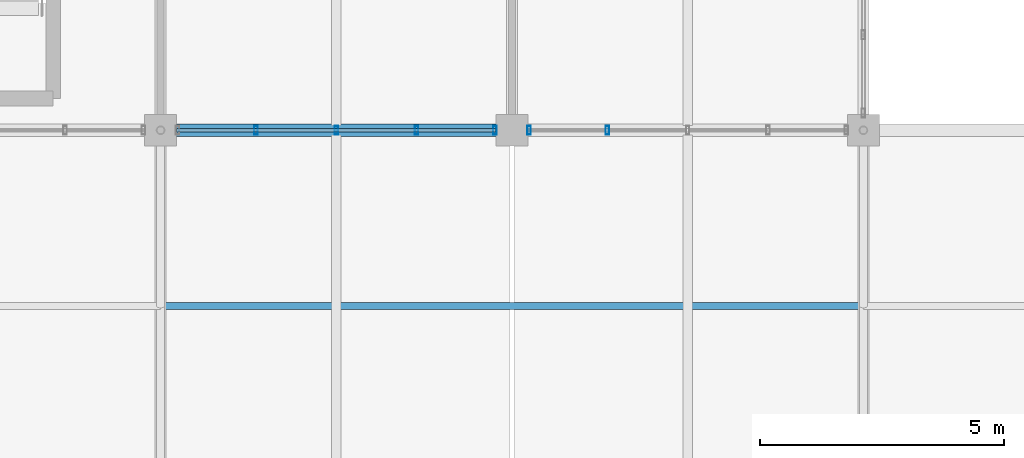
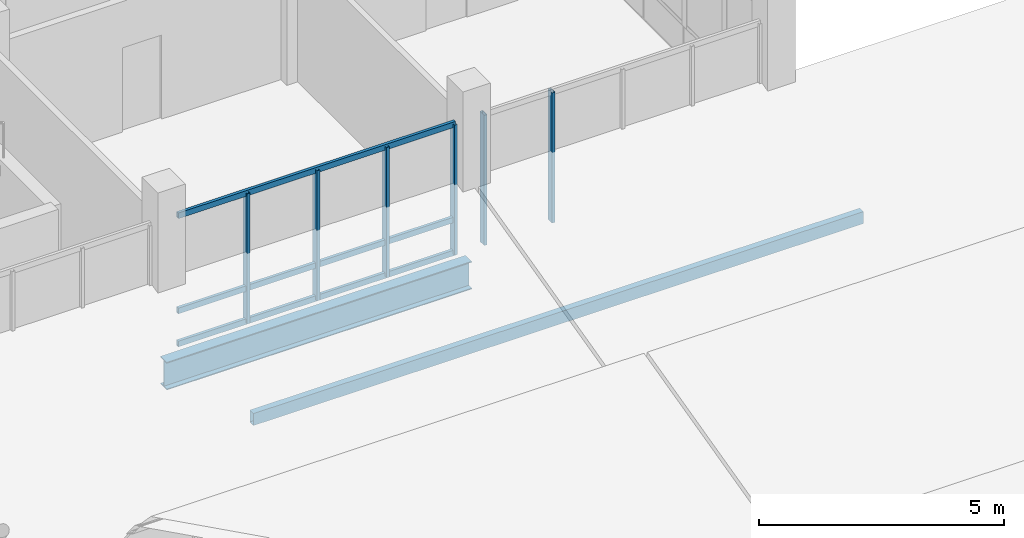
# One storey, part 81 of 144: 10 members, 1 beam, 2 elements without a shape of their own.
"""IFC4 building model written with IfcOpenShell, lengths in metres."""

import ifcopenshell
import ifcopenshell.guid

model = None  # the IFC model being written
_history = None  # IfcOwnerHistory: only IFC2X3 demands one
_inside = {}  # id of a spatial element -> (the spatial element, [elements in it])
_under = {}  # id of a project, library or spatial element -> (it, [spatial elements below it])
_declared = {}  # id of a project -> (the project, [libraries it declares])
_typed = {}  # id of a type object -> (the type object, [elements of that type])
_made_of = {}  # id of a material, layer set ... -> (it, [elements and type objects made of it])


def new_model(schema):
    """Start an empty IFC model of exactly this schema.

    Asked for "IFC4X3", IfcOpenShell would pick the latest addendum, in which some entities
    have other attributes; the version numbers below select the first issue.
    IFC2X3 requires an IfcOwnerHistory on every rooted entity: one is made here for all.
    """
    global model, _history
    if schema == "IFC4X3":
        model = ifcopenshell.file(schema_version=(4, 3, 0, 0))
    else:
        model = ifcopenshell.file(schema=schema)
    _inside.clear()
    _under.clear()
    _declared.clear()
    _typed.clear()
    _made_of.clear()
    _history = None
    if model.schema == "IFC2X3":
        org = make("IfcOrganization", Name="unknown")
        user = make(
            "IfcPersonAndOrganization",
            ThePerson=make("IfcPerson", FamilyName="unknown"),
            TheOrganization=org,
        )
        app = make(
            "IfcApplication",
            ApplicationDeveloper=org,
            Version="unknown",
            ApplicationFullName="unknown",
            ApplicationIdentifier="unknown",
        )
        _history = make(
            "IfcOwnerHistory",
            OwningUser=user,
            OwningApplication=app,
            ChangeAction="ADDED",
            CreationDate=0,
        )
    return model


def make(cls, **values):
    """One entity of the class cls with the attributes given. An attribute that is None is left unset."""
    return model.create_entity(
        cls, **{name: value for name, value in values.items() if value is not None}
    )


def rooted(cls, **values):
    """An entity with a GlobalId (a new one), such as an element, a storey or a relation."""
    return make(cls, GlobalId=ifcopenshell.guid.new(), OwnerHistory=_history, **values)


def si_unit(unit_type, name, prefix=None):
    """IfcSIUnit, for example si_unit("LENGTHUNIT", "METRE", prefix="MILLI")."""
    return make("IfcSIUnit", UnitType=unit_type, Prefix=prefix, Name=name)


def assignment(units):
    """IfcUnitAssignment: the units of a project."""
    return None if units is None else make("IfcUnitAssignment", Units=units)


def point(xyz):
    """IfcCartesianPoint."""
    return None if xyz is None else make("IfcCartesianPoint", Coordinates=xyz)


def direction(xyz):
    """IfcDirection."""
    return None if xyz is None else make("IfcDirection", DirectionRatios=xyz)


def frame(location, z_axis=None, x_axis=None):
    """IfcAxis2Placement3D, a coordinate frame: its origin and axes. An axis left out is left unset."""
    return make(
        "IfcAxis2Placement3D",
        Location=point(location),
        Axis=direction(z_axis),
        RefDirection=direction(x_axis),
    )


def frame_2d(location, x_axis=None):
    """IfcAxis2Placement2D, a coordinate frame in the plane: its origin and x axis."""
    return make(
        "IfcAxis2Placement2D", Location=point(location), RefDirection=direction(x_axis)
    )


def origin():
    """The frame at (0, 0, 0) with its axes left unset."""
    return frame((0.0, 0.0, 0.0))


def origin_2d():
    """The frame at (0, 0) in the plane with its x axis left unset."""
    return frame_2d((0.0, 0.0))


def place(relative_to, where):
    """IfcLocalPlacement: puts the frame where relative to a parent placement (None: the world)."""
    return make(
        "IfcLocalPlacement", PlacementRelTo=relative_to, RelativePlacement=where
    )


def context(
    kind, dimensions, precision=None, world=None, true_north=None, identifier=None
):
    """IfcGeometricRepresentationContext, for example the 3D "Model" context."""
    return make(
        "IfcGeometricRepresentationContext",
        ContextIdentifier=identifier,
        ContextType=kind,
        CoordinateSpaceDimension=dimensions,
        Precision=precision,
        WorldCoordinateSystem=world,
        TrueNorth=true_north,
    )


def subcontext(parent, identifier, kind, view, scale=None):
    """IfcGeometricRepresentationSubContext, for example "Body" below "Model"."""
    return make(
        "IfcGeometricRepresentationSubContext",
        ContextIdentifier=identifier,
        ContextType=kind,
        ParentContext=parent,
        TargetScale=scale,
        TargetView=view,
    )


def project(units=None, contexts=None):
    """IfcProject with its units and contexts."""
    return rooted(
        "IfcProject",
        Name="project",
        RepresentationContexts=contexts,
        UnitsInContext=assignment(units),
    )


def spatial(cls, under=None, at=None, **own):
    """A site, building, storey or space (cls), placed at a placement, below another one or the project."""
    s = rooted(cls, ObjectPlacement=at, **own)
    if under is not None:
        _under.setdefault(under.id(), (under, []))[1].append(s)
    return s


def profile(cls, at=None, kind="AREA", **sizes):
    """A parametric profile (cls). Its sizes go by their IFC names, for example OverallWidth=200.0."""
    return make(cls, ProfileType=kind, Position=at, **sizes)


def hollow_rectangle(**sizes):
    """IfcRectangleHollowProfileDef."""
    return profile("IfcRectangleHollowProfileDef", **sizes)


def i_section(**sizes):
    """IfcIShapeProfileDef."""
    return profile("IfcIShapeProfileDef", **sizes)


def extrude(swept, where, along, depth):
    """IfcExtrudedAreaSolid: the profile swept, set in the frame where, extruded along a direction by depth."""
    return make(
        "IfcExtrudedAreaSolid",
        SweptArea=swept,
        Position=where,
        ExtrudedDirection=direction(along),
        Depth=depth,
    )


def shape(context_of_items, identifier, shape_type, items):
    """IfcShapeRepresentation: the items that make up one representation, for example the "Body"."""
    return make(
        "IfcShapeRepresentation",
        ContextOfItems=context_of_items,
        RepresentationIdentifier=identifier,
        RepresentationType=shape_type,
        Items=items,
    )


def material(Name=None, Category=None):
    """IfcMaterial."""
    return make("IfcMaterial", Name=Name, Category=Category)


def material_profile(
    of_material, cross_section, Name=None, Category=None, Priority=None
):
    """IfcMaterialProfile: a cross section and its material."""
    return make(
        "IfcMaterialProfile",
        Name=Name,
        Material=of_material,
        Profile=cross_section,
        Priority=Priority,
        Category=Category,
    )


def profile_set(profiles, Name=None, composite=None):
    """IfcMaterialProfileSet."""
    return make(
        "IfcMaterialProfileSet",
        Name=Name,
        MaterialProfiles=profiles,
        CompositeProfile=composite,
    )


def made_of(thing, what):
    """Note that an element or type object is made of a material, layer set ...; save() writes the relation."""
    if what is not None:
        _made_of.setdefault(what.id(), (what, []))[1].append(thing)
    return thing


def type_object(cls, material=None, **own):
    """A type object (cls), such as IfcWallType, which elements share."""
    return made_of(rooted(cls, **own), material)


def element(
    cls,
    number,
    at=None,
    inside=None,
    cuts=None,
    type_object=None,
    material=None,
    context=None,
    identifier="Body",
    shape_type=None,
    held_by="IfcProductDefinitionShape",
    body=None,
    shapes=None,
    **own,
):
    """One element of the class cls, such as IfcWall. Its Tag is "e" and its number.

    at: its placement. inside: the storey or other place that contains it. cuts: it is an
    opening in that element (IfcRelVoidsElement). A single representation is given by context,
    identifier, shape_type and body (its items); several are given by shapes. held_by: the class
    of the entity that holds the representations. save() writes the other relations.
    """
    e = rooted(cls, Tag="e%d" % number, ObjectPlacement=at, **own)
    if body is not None:
        shapes = [shape(context, identifier, shape_type, body)]
    if shapes is not None:
        e.Representation = make(held_by, Representations=shapes)
    if inside is not None:
        _inside.setdefault(inside.id(), (inside, []))[1].append(e)
    if cuts is not None:
        rooted(
            "IfcRelVoidsElement", RelatingBuildingElement=cuts, RelatedOpeningElement=e
        )
    if type_object is not None:
        _typed.setdefault(type_object.id(), (type_object, []))[1].append(e)
    return made_of(e, material)


def aggregate(whole, parts):
    """IfcRelAggregates: a whole, such as a stair, and the parts it consists of."""
    return rooted("IfcRelAggregates", RelatingObject=whole, RelatedObjects=parts)


def save(model, path):
    """Write the relations noted so far, then the file.

    IfcRelAggregates (storeys below a building ...), IfcRelContainedInSpatialStructure (elements
    in a storey), IfcRelDefinesByType, IfcRelAssociatesMaterial and IfcRelDeclares: one each for
    every whole, place, type object, material and project.
    """
    for whole, parts in _under.values():
        aggregate(whole, parts)
    for where, things in _inside.values():
        rooted(
            "IfcRelContainedInSpatialStructure",
            RelatedElements=things,
            RelatingStructure=where,
        )
    for kind, things in _typed.values():
        rooted("IfcRelDefinesByType", RelatedObjects=things, RelatingType=kind)
    for what, things in _made_of.values():
        rooted("IfcRelAssociatesMaterial", RelatedObjects=things, RelatingMaterial=what)
    for by, libraries in _declared.values():
        rooted("IfcRelDeclares", RelatingContext=by, RelatedDefinitions=libraries)
    model.write(path)


model = new_model("IFC4")

# Units and contexts
model_context = context("Model", 3, precision=1e-05, world=origin(), true_north=direction((0.0, 1.0)))
body_context = subcontext(model_context, "Body", "Model", "MODEL_VIEW")
ifc_project = project(units=[si_unit("LENGTHUNIT", "METRE"), si_unit("AREAUNIT", "SQUARE_METRE"), si_unit("VOLUMEUNIT", "CUBIC_METRE"), si_unit("PLANEANGLEUNIT", "RADIAN"), si_unit("MASSUNIT", "GRAM", prefix="KILO")], contexts=[model_context])

# Site, building, storey
site_placement = place(None, origin())
site = spatial("IfcSite", under=ifc_project, at=site_placement, CompositionType="ELEMENT")
building_placement = place(site_placement, origin())
building = spatial("IfcBuilding", under=site, at=building_placement, Name="Yarey Park Central Fire Station", CompositionType="ELEMENT")
storey_placement = place(building_placement, frame((0.0, 0.0, 10.199951171875)))
storey = spatial("IfcBuildingStorey", under=building, at=storey_placement, Name="L03", CompositionType="ELEMENT", Elevation=10.199951171875)

# Curtain wall, members
ifc_material_1 = material(Name="Anodized Aluminium Frame", Category="aluminium")
curtain_wall_type = type_object("IfcCurtainWallType", Name="ENV_CW_HQ_L03", PredefinedType="NOTDEFINED", material=ifc_material_1)
curtain_wall_1_placement = place(storey_placement, origin())
curtain_wall_1 = element("IfcCurtainWall", 1, at=curtain_wall_1_placement, inside=storey, type_object=curtain_wall_type, Name="CW_L03_V4_S_5", PredefinedType="NOTDEFINED")
ifc_material_profile_1 = material_profile(ifc_material_1, hollow_rectangle(XDim=0.070068359375, YDim=0.179931640625, WallThickness=0.00390625, at=origin_2d()), Name="ALU 180x70x4")
ifc_profile_set_1 = profile_set([ifc_material_profile_1], Name="Anodized Aluminium Frame")
member_type_1 = type_object("IfcMemberType", Name="ENV_CW_MULLION", PredefinedType="MULLION", material=ifc_profile_set_1)
member_1_placement = place(storey_placement, frame((145.955078125, 93.60009765625, 0.0), z_axis=(0.0, 0.0, 1.0), x_axis=(1.0, 0.0, 0.0)))
member_1 = element("IfcMember", 2, at=member_1_placement, type_object=member_type_1, Name="CW_L03_V4_S_5_MUL2", PredefinedType="MULLION", context=body_context, shape_type="SweptSolid", body=[
    extrude(hollow_rectangle(XDim=0.070068359375, YDim=0.179931640625, WallThickness=0.00390625, at=origin_2d()), origin(), (0.0, 0.0, 1.0), 3.25),
])
member_2_placement = place(storey_placement, frame((147.60009765625, 93.60009765625, 0.0), z_axis=(0.0, 0.0, 1.0), x_axis=(1.0, 0.0, 0.0)))
member_2 = element("IfcMember", 3, at=member_2_placement, type_object=member_type_1, Name="CW_L03_V4_S_5_MUL3", PredefinedType="MULLION", context=body_context, shape_type="SweptSolid", body=[
    extrude(hollow_rectangle(XDim=0.070068359375, YDim=0.179931640625, WallThickness=0.00390625, at=origin_2d()), origin(), (0.0, 0.0, 1.0), 3.25),
])
member_3_placement = place(storey_placement, frame((149.2451171875, 93.60009765625, 0.0), z_axis=(0.0, 0.0, 1.0), x_axis=(1.0, 0.0, 0.0)))
member_3 = element("IfcMember", 4, at=member_3_placement, type_object=member_type_1, Name="CW_L03_V4_S_5_MUL4", PredefinedType="MULLION", context=body_context, shape_type="SweptSolid", body=[
    extrude(hollow_rectangle(XDim=0.070068359375, YDim=0.179931640625, WallThickness=0.00390625, at=origin_2d()), origin(), (0.0, 0.0, 1.0), 3.25),
])
member_4_placement = place(storey_placement, frame((150.85009765625, 93.60009765625, 0.0), z_axis=(0.0, 0.0, 1.0), x_axis=(1.0, 0.0, 0.0)))
member_4 = element("IfcMember", 5, at=member_4_placement, type_object=member_type_1, Name="CW_L03_V4_S_5_MUL5", PredefinedType="MULLION", context=body_context, shape_type="SweptSolid", body=[
    extrude(hollow_rectangle(XDim=0.070068359375, YDim=0.179931640625, WallThickness=0.00390625, at=origin_2d()), origin(), (0.0, 0.0, 1.0), 3.25),
])

curtain_wall_2_placement = place(storey_placement, origin())
curtain_wall_2 = element("IfcCurtainWall", 6, at=curtain_wall_2_placement, inside=storey, type_object=curtain_wall_type, Name="CW_L03_V4_S_6", PredefinedType="NOTDEFINED")
member_5_placement = place(storey_placement, frame((151.550048828125, 93.60009765625, 0.0), z_axis=(0.0, 0.0, 1.0), x_axis=(1.0, 0.0, 0.0)))
member_5 = element("IfcMember", 7, at=member_5_placement, type_object=member_type_1, Name="CW_L03_V4_S_6_MUL1", PredefinedType="MULLION", context=body_context, shape_type="SweptSolid", body=[
    extrude(hollow_rectangle(XDim=0.070068359375, YDim=0.179931640625, WallThickness=0.00390625, at=origin_2d()), origin(), (0.0, 0.0, 1.0), 3.25),
])
member_6_placement = place(storey_placement, frame((153.155029296875, 93.60009765625, 0.0), z_axis=(0.0, 0.0, 1.0), x_axis=(1.0, 0.0, 0.0)))
member_6 = element("IfcMember", 8, at=member_6_placement, type_object=member_type_1, Name="CW_L03_V4_S_6_MUL2", PredefinedType="MULLION", context=body_context, shape_type="SweptSolid", body=[
    extrude(hollow_rectangle(XDim=0.070068359375, YDim=0.179931640625, WallThickness=0.00390625, at=origin_2d()), origin(), (0.0, 0.0, 1.0), 3.25),
])
aggregate(curtain_wall_2, [member_5, member_6])

# Member
ifc_material_profile_2 = material_profile(ifc_material_1, hollow_rectangle(XDim=0.070068359375, YDim=0.139892578125, WallThickness=0.00390625, at=origin_2d()), Name="ALU 140x70x4")
ifc_profile_set_2 = profile_set([ifc_material_profile_2], Name="Anodized Aluminium Frame")
member_type_2 = type_object("IfcMemberType", Name="ENV_CW_TRANSOM", PredefinedType="USERDEFINED", material=ifc_profile_set_2)
member_7_placement = place(storey_placement, frame((144.324951171875, 93.60009765625, 0.025146484375), z_axis=(1.0, 0.0, 0.0), x_axis=(0.0, 1.0, 0.0)))
member_7 = element("IfcMember", 9, at=member_7_placement, type_object=member_type_2, Name="CW_L03_V4_S_5_TRN1", ObjectType="TRANSOM", PredefinedType="USERDEFINED", context=body_context, shape_type="SweptSolid", body=[
    extrude(hollow_rectangle(XDim=0.070068359375, YDim=0.139892578125, WallThickness=0.00390625, at=origin_2d()), origin(), (0.0, 0.0, 1.0), 6.550048828125),
])

member_8_placement = place(storey_placement, frame((144.324951171875, 93.60009765625, 0.85009765625), z_axis=(1.0, 0.0, 0.0), x_axis=(0.0, 1.0, 0.0)))
member_8 = element("IfcMember", 10, at=member_8_placement, type_object=member_type_2, Name="CW_L03_V4_S_5_TRN2", ObjectType="TRANSOM", PredefinedType="USERDEFINED", context=body_context, shape_type="SweptSolid", body=[
    extrude(hollow_rectangle(XDim=0.070068359375, YDim=0.139892578125, WallThickness=0.00390625, at=origin_2d()), origin(), (0.0, 0.0, 1.0), 6.550048828125),
])

member_9_placement = place(storey_placement, frame((144.324951171875, 93.60009765625, 3.22509765625), z_axis=(1.0, 0.0, 0.0), x_axis=(0.0, 1.0, 0.0)))
member_9 = element("IfcMember", 11, at=member_9_placement, type_object=member_type_2, Name="CW_L03_V4_S_5_TRN3", ObjectType="TRANSOM", PredefinedType="USERDEFINED", context=body_context, shape_type="SweptSolid", body=[
    extrude(hollow_rectangle(XDim=0.070068359375, YDim=0.139892578125, WallThickness=0.00390625, at=origin_2d()), origin(), (0.0, 0.0, 1.0), 6.550048828125),
])

aggregate(curtain_wall_1, [member_1, member_2, member_3, member_4, member_7, member_8, member_9])

# Beam
ifc_material_2 = material(Name="Steel ASTM A992 Gr. 50", Category="steel")
ifc_material_profile_3 = material_profile(ifc_material_2, i_section(OverallWidth=0.256103515625, OverallDepth=0.693115234375, WebThickness=0.014404296875, FlangeThickness=0.023681640625, at=origin_2d()), Name="W690x170")
ifc_profile_set_3 = profile_set([ifc_material_profile_3], Name="Steel ASTM A992 Gr. 50")
beam_type = type_object("IfcBeamType", Name="STR_BM_W690", PredefinedType="BEAM", material=ifc_profile_set_3)
beam_placement = place(storey_placement, frame((144.0, 93.60009765625, -0.6064453125), z_axis=(1.0, 0.0, 0.0), x_axis=(0.0, 1.0, 0.0)))
element("IfcBeam", 12, at=beam_placement, inside=storey, type_object=beam_type, Name="BMX L03 Y936 X1440", PredefinedType="BEAM", context=body_context, shape_type="SweptSolid", body=[
    extrude(i_section(OverallWidth=0.256103515625, OverallDepth=0.693115234375, WebThickness=0.014404296875, FlangeThickness=0.023681640625, at=origin_2d()), origin(), (0.0, 0.0, 1.0), 7.199951171875),
])

# Member
ifc_material_3 = material(Name="Steel ASTM A500 Gr. C", Category="steel")
ifc_material_profile_4 = material_profile(ifc_material_3, hollow_rectangle(XDim=0.14990234375, YDim=0.300048828125, WallThickness=0.010009765625, at=origin_2d()), Name="HSS 300x150x10")
ifc_profile_set_4 = profile_set([ifc_material_profile_4], Name="Steel ASTM A500 Gr. C")
member_type_3 = type_object("IfcMemberType", Name="STR_PUR_HSS300", PredefinedType="PURLIN", material=ifc_profile_set_4)
member_10_placement = place(storey_placement, frame((144.0, 90.0, 0.462646484375), z_axis=(1.0, 0.0, 0.0), x_axis=(0.0, 1.0, 0.0)))
element("IfcMember", 13, at=member_10_placement, inside=storey, type_object=member_type_3, Name="SAW_PUR_2_B7", PredefinedType="PURLIN", context=body_context, shape_type="SweptSolid", body=[
    extrude(hollow_rectangle(XDim=0.14990234375, YDim=0.300048828125, WallThickness=0.010009765625, at=origin_2d()), origin(), (0.0, 0.0, 1.0), 14.39990234375),
])

save(model, "model.ifc")
